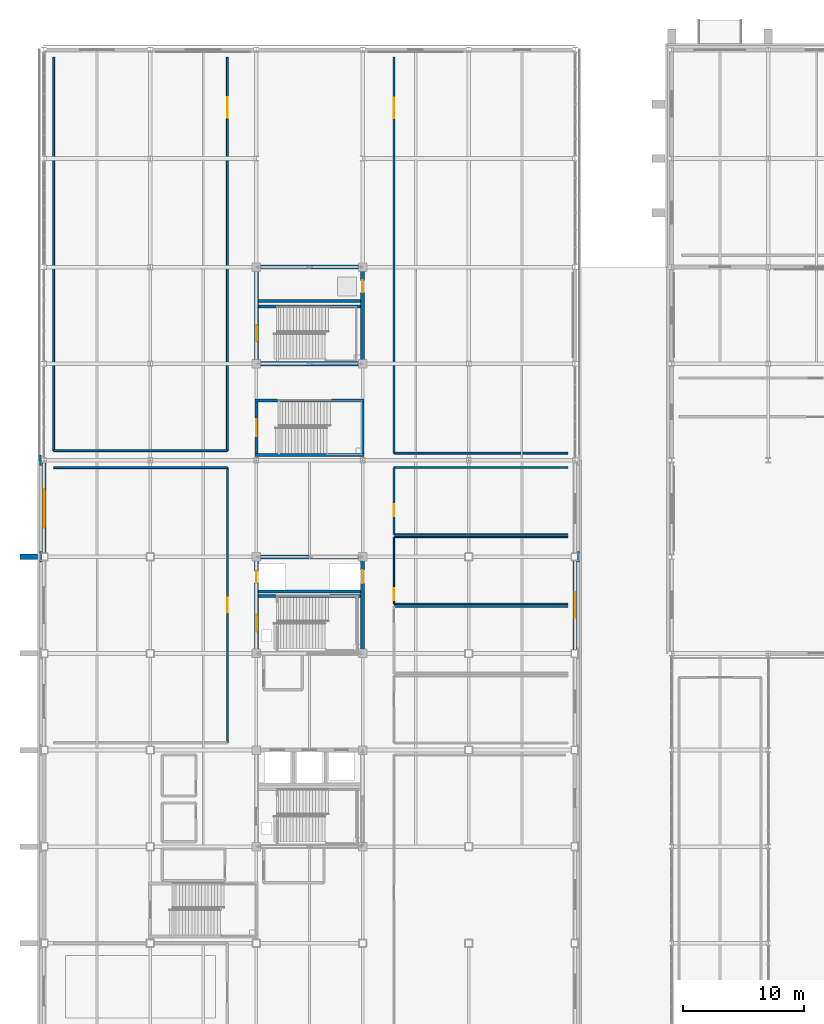
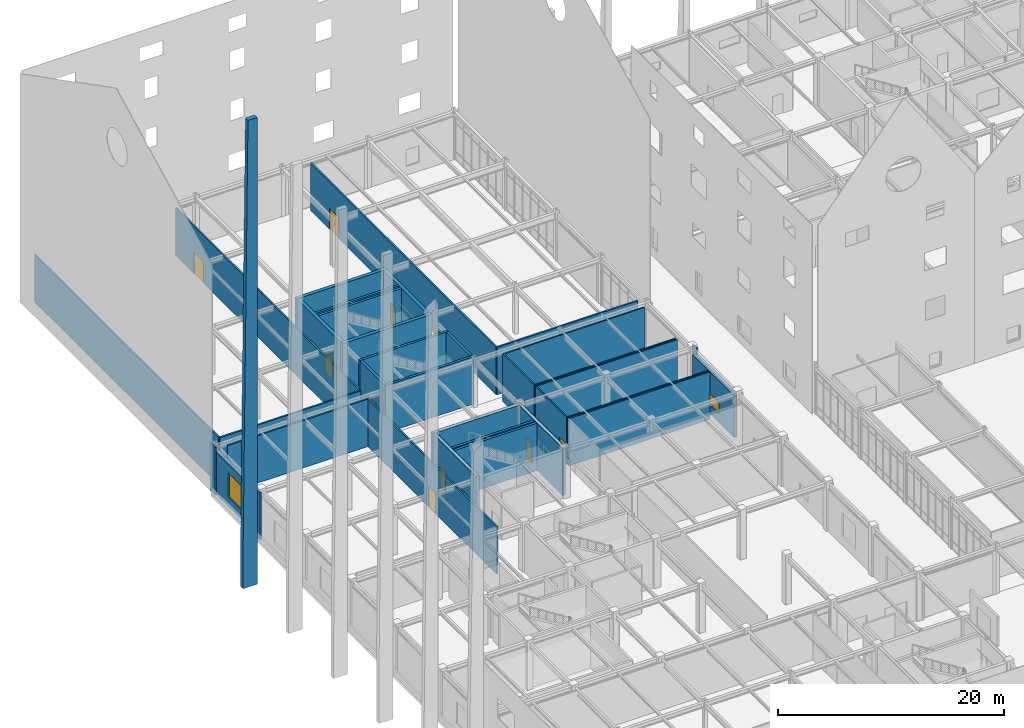
# One storey, part 91 of 119: 35 walls, 11 doors, 2 windows, 13 openings.
"""IFC4 building model written with IfcOpenShell, lengths in metres."""

from ifc_helpers import new_model, si_unit, direction, frame, frame_2d, origin, place, context, subcontext, project, spatial, polyline, rectangle, outline, extrude, material, layer, layer_set, type_object, element, fill, save


model = new_model("IFC4")

# Units and contexts
model_context = context("Model", 3, precision=1e-05, world=origin(), true_north=direction((0.0, 1.0)))
body_context = subcontext(model_context, "Body", "Model", "MODEL_VIEW")
ifc_project = project(units=[si_unit("LENGTHUNIT", "METRE"), si_unit("AREAUNIT", "SQUARE_METRE"), si_unit("VOLUMEUNIT", "CUBIC_METRE"), si_unit("PLANEANGLEUNIT", "RADIAN"), si_unit("MASSUNIT", "GRAM", prefix="KILO")], contexts=[model_context])

# Site, building, storey
site_placement = place(None, origin())
site = spatial("IfcSite", under=ifc_project, at=site_placement, CompositionType="ELEMENT")
building_placement = place(site_placement, origin())
building = spatial("IfcBuilding", under=site, at=building_placement, Name="Zhaolan Boulevard Law Courts", CompositionType="ELEMENT")
storey_placement = place(building_placement, origin())
storey = spatial("IfcBuildingStorey", under=building, at=storey_placement, Name="L00", CompositionType="ELEMENT", Elevation=0.0)

# Wall
ifc_material_1 = material(Name="Concrete C50", Category="concrete")
ifc_layer_1 = layer(ifc_material_1, 0.35009765625)
ifc_layer_set_1 = layer_set([ifc_layer_1])
wall_type_1 = type_object("IfcWallType", Name="CORE SHEAR WALL 350", PredefinedType="SHEAR", material=ifc_layer_set_1)
wall_1_placement = place(storey_placement, frame((26.574951171875, 70.0, 0.0), z_axis=(0.0, 0.0, 1.0), x_axis=(-1.0, 0.0, 0.0)))
element("IfcWall", 1, at=wall_1_placement, inside=storey, type_object=wall_type_1, Name="Core Shear Wall CW-W2-L00N", PredefinedType="SHEAR", context=body_context, shape_type="SweptSolid", body=[
    extrude(rectangle(XDim=9.14990234375, YDim=0.35009765625, at=frame_2d((4.574951171875, 0.0))), origin(), (0.0, 0.0, 1.0), 5.1201171875),
])

# Wall, openings, doors
wall_2_placement = place(storey_placement, frame((17.60009765625, 62.175048828125, 0.0), z_axis=(0.0, 0.0, 1.0), x_axis=(0.0, 1.0, 0.0)))
wall_2 = element("IfcWall", 2, at=wall_2_placement, inside=storey, type_object=wall_type_1, Name="Core Shear Wall CW-W2-L00W", PredefinedType="SHEAR", context=body_context, shape_type="SweptSolid", body=[
    extrude(rectangle(XDim=7.64990234375, YDim=0.35009765625, at=frame_2d((3.824951171875, 0.0))), origin(), (0.0, 0.0, 1.0), 5.1201171875),
])
opening_1_placement = place(wall_2_placement, frame((1.625, 0.0, 0.0)))
opening_1 = element("IfcOpeningElement", 3, at=opening_1_placement, cuts=wall_2, Name="Opening SD-L00-13", PredefinedType="OPENING", context=body_context, shape_type="SweptSolid", body=[
    extrude(rectangle(XDim=1.39990234375, YDim=2.199951171875, at=frame_2d((0.699951171875, 1.10009765625))), frame((0.0, 0.18505859375, 0.0), z_axis=(0.0, -1.0, 0.0), x_axis=(1.0, 0.0, 0.0)), (0.0, 0.0, 1.0), 0.3701171875),
])
opening_2_placement = place(wall_2_placement, frame((5.675048828125, 0.0, 0.0)))
opening_2 = element("IfcOpeningElement", 4, at=opening_2_placement, cuts=wall_2, Name="Opening LD-JL-02-L00", PredefinedType="OPENING", context=body_context, shape_type="SweptSolid", body=[
    extrude(rectangle(XDim=1.0, YDim=2.14990234375, at=frame_2d((0.5, 1.074951171875))), frame((0.0, 0.18505859375, 0.0), z_axis=(0.0, -1.0, 0.0), x_axis=(1.0, 0.0, 0.0)), (0.0, 0.0, 1.0), 0.3701171875),
])
ifc_material_2 = material(Name="Stainless steel sliding landing door", Category="steel")
door_type_1 = type_object("IfcDoorType", Name="LIFT LANDING 1000X2150", OperationType="DOUBLE_DOOR_SLIDING", PredefinedType="DOOR", material=ifc_material_2)
door_1_placement = place(opening_2_placement, origin())
door_1 = element("IfcDoor", 5, at=door_1_placement, inside=storey, type_object=door_type_1, Name="Lift Landing Sliding Door LD-JL-02-L00", OperationType="DOUBLE_DOOR_SLIDING", OverallHeight=2.14990234375, OverallWidth=1.0, PredefinedType="DOOR", context=body_context, shape_type="SweptSolid", body=[
    extrude(rectangle(XDim=1.0, YDim=2.14990234375, at=frame_2d((0.5, 1.074951171875))), frame((0.0, 0.02490234375, 0.0), z_axis=(0.0, -1.0, 0.0), x_axis=(1.0, 0.0, 0.0)), (0.0, 0.0, 1.0), 0.050048828125),
])
fill(opening_2, door_1)
ifc_material_3 = material(Name="Fire-rated steel acoustic door", Category="steel")
door_type_2 = type_object("IfcDoorType", Name="STAIR FIRE 1400X2200 L", OperationType="SINGLE_SWING_LEFT", PredefinedType="DOOR", material=ifc_material_3)
door_2_placement = place(opening_1_placement, origin())
door_2 = element("IfcDoor", 6, at=door_2_placement, inside=storey, type_object=door_type_2, Name="Smoke-Proof Stairwell Fire Door SD-L00-13", OperationType="SINGLE_SWING_LEFT", OverallHeight=2.199951171875, OverallWidth=1.39990234375, PredefinedType="DOOR", context=body_context, shape_type="SweptSolid", body=[
    extrude(rectangle(XDim=1.39990234375, YDim=2.199951171875, at=frame_2d((0.699951171875, 1.10009765625))), frame((0.0, 0.02490234375, 0.0), z_axis=(0.0, -1.0, 0.0), x_axis=(1.0, 0.0, 0.0)), (0.0, 0.0, 1.0), 0.050048828125),
])
fill(opening_1, door_2)

# Wall, opening, door
wall_3_placement = place(storey_placement, frame((26.39990234375, 62.175048828125, 0.0), z_axis=(0.0, 0.0, 1.0), x_axis=(0.0, 1.0, 0.0)))
wall_3 = element("IfcWall", 7, at=wall_3_placement, inside=storey, type_object=wall_type_1, Name="Core Shear Wall CW-W2-L00E", PredefinedType="SHEAR", context=body_context, shape_type="SweptSolid", body=[
    extrude(rectangle(XDim=7.64990234375, YDim=0.35009765625, at=frame_2d((3.824951171875, 0.0))), origin(), (0.0, 0.0, 1.0), 5.1201171875),
])
opening_3_placement = place(wall_3_placement, frame((5.625, 0.0, 0.0)))
opening_3 = element("IfcOpeningElement", 8, at=opening_3_placement, cuts=wall_3, Name="Opening LD-FL-03-L00", PredefinedType="OPENING", context=body_context, shape_type="SweptSolid", body=[
    extrude(rectangle(XDim=1.10009765625, YDim=2.14990234375, at=frame_2d((0.550048828125, 1.074951171875))), frame((0.0, 0.18505859375, 0.0), z_axis=(0.0, -1.0, 0.0), x_axis=(1.0, 0.0, 0.0)), (0.0, 0.0, 1.0), 0.3701171875),
])
ifc_material_4 = material(Name="Stainless steel sliding landing door", Category="steel")
door_type_3 = type_object("IfcDoorType", Name="LIFT LANDING 1100X2150", OperationType="DOUBLE_DOOR_SLIDING", PredefinedType="DOOR", material=ifc_material_4)
door_3_placement = place(opening_3_placement, origin())
door_3 = element("IfcDoor", 9, at=door_3_placement, inside=storey, type_object=door_type_3, Name="Lift Landing Sliding Door LD-FL-03-L00", OperationType="DOUBLE_DOOR_SLIDING", OverallHeight=2.14990234375, OverallWidth=1.10009765625, PredefinedType="DOOR", context=body_context, shape_type="SweptSolid", body=[
    extrude(rectangle(XDim=1.10009765625, YDim=2.14990234375, at=frame_2d((0.550048828125, 1.074951171875))), frame((0.0, 0.02490234375, 0.0), z_axis=(0.0, -1.0, 0.0), x_axis=(1.0, 0.0, 0.0)), (0.0, 0.0, 1.0), 0.050048828125),
])
fill(opening_3, door_3)

# Walls
for number, where, z_axis, x_axis, name in (
    (10, (17.425048828125, 86.0, 0.0), (0.0, 0.0, 1.0), (1.0, 0.0, 0.0), "Core Shear Wall CW-L1-L00S"),
    (11, (26.574951171875, 94.0, 0.0), (0.0, 0.0, 1.0), (-1.0, 0.0, 0.0), "Core Shear Wall CW-L1-L00N"),
):
    element("IfcWall", number, at=place(storey_placement, frame(where, z_axis=z_axis, x_axis=x_axis)), inside=storey, type_object=wall_type_1, Name=name, PredefinedType="SHEAR", context=body_context, shape_type="SweptSolid", body=[
        extrude(rectangle(XDim=9.14990234375, YDim=0.35009765625, at=frame_2d((4.574951171875, 0.0))), origin(), (0.0, 0.0, 1.0), 5.1201171875),
    ])

# Wall, opening, door
wall_4_placement = place(storey_placement, frame((17.60009765625, 86.175048828125, 0.0), z_axis=(0.0, 0.0, 1.0), x_axis=(0.0, 1.0, 0.0)))
wall_4 = element("IfcWall", 12, at=wall_4_placement, inside=storey, type_object=wall_type_1, Name="Core Shear Wall CW-L1-L00W", PredefinedType="SHEAR", context=body_context, shape_type="SweptSolid", body=[
    extrude(rectangle(XDim=7.64990234375, YDim=0.35009765625, at=frame_2d((3.824951171875, 0.0))), origin(), (0.0, 0.0, 1.0), 5.1201171875),
])
opening_4_placement = place(wall_4_placement, frame((1.64990234375, 0.0, 0.0)))
opening_4 = element("IfcOpeningElement", 13, at=opening_4_placement, cuts=wall_4, Name="Opening SD-L00-38", PredefinedType="OPENING", context=body_context, shape_type="SweptSolid", body=[
    extrude(rectangle(XDim=1.35009765625, YDim=2.199951171875, at=frame_2d((0.675048828125, 1.10009765625))), frame((0.0, 0.18505859375, 0.0), z_axis=(0.0, -1.0, 0.0), x_axis=(1.0, 0.0, 0.0)), (0.0, 0.0, 1.0), 0.3701171875),
])
ifc_material_5 = material(Name="Fire-rated steel acoustic door", Category="steel")
door_type_4 = type_object("IfcDoorType", Name="STAIR FIRE 1350X2200 R", OperationType="SINGLE_SWING_RIGHT", PredefinedType="DOOR", material=ifc_material_5)
door_4_placement = place(opening_4_placement, origin())
door_4 = element("IfcDoor", 14, at=door_4_placement, inside=storey, type_object=door_type_4, Name="Smoke-Proof Stairwell Fire Door SD-L00-38", OperationType="SINGLE_SWING_RIGHT", OverallHeight=2.199951171875, OverallWidth=1.35009765625, PredefinedType="DOOR", context=body_context, shape_type="SweptSolid", body=[
    extrude(rectangle(XDim=1.35009765625, YDim=2.199951171875, at=frame_2d((0.675048828125, 1.10009765625))), frame((0.0, 0.02490234375, 0.0), z_axis=(0.0, -1.0, 0.0), x_axis=(1.0, 0.0, 0.0)), (0.0, 0.0, 1.0), 0.050048828125),
])
fill(opening_4, door_4)

wall_5_placement = place(storey_placement, frame((26.39990234375, 86.175048828125, 0.0), z_axis=(0.0, 0.0, 1.0), x_axis=(0.0, 1.0, 0.0)))
wall_5 = element("IfcWall", 15, at=wall_5_placement, inside=storey, type_object=wall_type_1, Name="Core Shear Wall CW-L1-L00E", PredefinedType="SHEAR", context=body_context, shape_type="SweptSolid", body=[
    extrude(rectangle(XDim=7.64990234375, YDim=0.35009765625, at=frame_2d((3.824951171875, 0.0))), origin(), (0.0, 0.0, 1.0), 5.1201171875),
])
opening_5_placement = place(wall_5_placement, frame((5.72509765625, 0.0, 0.0)))
opening_5 = element("IfcOpeningElement", 16, at=opening_5_placement, cuts=wall_5, Name="Opening LD-PL-04-L00", PredefinedType="OPENING", context=body_context, shape_type="SweptSolid", body=[
    extrude(rectangle(XDim=1.0, YDim=2.14990234375, at=frame_2d((0.5, 1.074951171875))), frame((0.0, 0.18505859375, 0.0), z_axis=(0.0, -1.0, 0.0), x_axis=(1.0, 0.0, 0.0)), (0.0, 0.0, 1.0), 0.3701171875),
])
door_5_placement = place(opening_5_placement, origin())
door_5 = element("IfcDoor", 17, at=door_5_placement, inside=storey, type_object=door_type_1, Name="Lift Landing Sliding Door LD-PL-04-L00", OperationType="DOUBLE_DOOR_SLIDING", OverallHeight=2.14990234375, OverallWidth=1.0, PredefinedType="DOOR", context=body_context, shape_type="SweptSolid", body=[
    extrude(rectangle(XDim=1.0, YDim=2.14990234375, at=frame_2d((0.5, 1.074951171875))), frame((0.0, 0.02490234375, 0.0), z_axis=(0.0, -1.0, 0.0), x_axis=(1.0, 0.0, 0.0)), (0.0, 0.0, 1.0), 0.050048828125),
])
fill(opening_5, door_5)

# Walls
ifc_material_6 = material(Name="Concrete C40", Category="concrete")
ifc_layer_2 = layer(ifc_material_6, 0.139892578125)
ifc_layer_set_2 = layer_set([ifc_layer_2])
wall_type_2 = type_object("IfcWallType", Name="EXT WALL ARCH CLAD140", PredefinedType="SOLIDWALL", material=ifc_layer_set_2)
for number, where, z_axis, x_axis, name in (
    (18, (-0.280029296875, 69.580078125, 0.0), (0.0, 0.0, 1.0), (0.0, 1.0, 0.0), "Concrete Column Cloak Pier CPR-034"),
    (19, (44.280029296875, 69.580078125, 0.0), (0.0, 0.0, 1.0), (0.0, 1.0, 0.0), "Concrete Column Cloak Pier CPR-035"),
    (20, (-0.280029296875, 77.580078125, 0.0), (0.0, 0.0, 1.0), (0.0, 1.0, 0.0), "Concrete Column Cloak Pier CPR-036"),
):
    element("IfcWall", number, at=place(storey_placement, frame(where, z_axis=z_axis, x_axis=x_axis)), inside=storey, type_object=wall_type_2, Name=name, PredefinedType="SOLIDWALL", context=body_context, shape_type="SweptSolid", body=[
        extrude(rectangle(XDim=0.83984375, YDim=0.139892578125, at=frame_2d((0.419921875, 0.0))), origin(), (0.0, 0.0, 1.0), 5.139892578125),
    ])
ifc_material_7 = material(Name="Concrete C40", Category="concrete")
ifc_layer_3 = layer(ifc_material_7, 0.4599609375)
ifc_layer_set_3 = layer_set([ifc_layer_3])
wall_type_3 = type_object("IfcWallType", Name="EXT WALL BUTTRESS460", PredefinedType="SOLIDWALL", material=ifc_layer_set_3)
wall_6_placement = place(storey_placement, frame((-0.5400390625, 70.0, -4.800048828125), z_axis=(0.0, 0.0, 1.0), x_axis=(-1.0, 0.0, 0.0)))
element("IfcWall", 21, at=wall_6_placement, inside=storey, type_object=wall_type_3, Name="Sculpted Raked Concrete Fin SCF-220", PredefinedType="SOLIDWALL", context=body_context, shape_type="SweptSolid", body=[
    extrude(outline(polyline([(0.0, 0.0), (1.43994140625, 0.0), (1.43994140625, 4.800048828125), (0.949951171875, 50.400146484375), (0.0, 50.400146484375), (0.0, 0.0)])), frame((0.0, 0.22998046875, 0.0), z_axis=(0.0, -1.0, 0.0), x_axis=(1.0, 0.0, 0.0)), (0.0, 0.0, 1.0), 0.4599609375),
])

# Wall, opening, window
ifc_material_8 = material(Name="Concrete C40", Category="concrete")
ifc_layer_4 = layer(ifc_material_8, 0.320068359375)
ifc_layer_set_4 = layer_set([ifc_layer_4])
wall_type_4 = type_object("IfcWallType", Name="EXT WALL CONCRETE320", PredefinedType="SOLIDWALL", material=ifc_layer_set_4)
wall_7_placement = place(storey_placement, frame((0.0, 77.803955078125, 0.0), z_axis=(0.0, 0.0, 1.0), x_axis=(0.0, -1.0, 0.0)))
wall_7 = element("IfcWall", 22, at=wall_7_placement, inside=storey, type_object=wall_type_4, Name="Exterior Wall EW-L00-370", PredefinedType="SOLIDWALL", context=body_context, shape_type="SweptSolid", body=[
    extrude(rectangle(XDim=7.48291015625, YDim=0.320068359375, at=frame_2d((3.741455078125, 0.0))), origin(), (0.0, 0.0, 1.0), 4.52294921875),
])
opening_6_placement = place(wall_7_placement, frame((2.2041015625, 0.0, 0.949951171875)))
opening_6 = element("IfcOpeningElement", 23, at=opening_6_placement, cuts=wall_7, Name="Opening WIN-L00-221", PredefinedType="OPENING", context=body_context, shape_type="SweptSolid", body=[
    extrude(rectangle(XDim=3.199951171875, YDim=2.60009765625, at=frame_2d((1.60009765625, 1.300048828125))), frame((0.0, 0.169921875, 0.0), z_axis=(0.0, -1.0, 0.0), x_axis=(1.0, 0.0, 0.0)), (0.0, 0.0, 1.0), 0.340087890625),
])
ifc_material_9 = material(Name="Thermally broken aluminium and low-E glazing", Category="aluminium")
window_type_1 = type_object("IfcWindowType", Name="WINDOW 3200X2600", PartitioningType="DOUBLE_PANEL_VERTICAL", PredefinedType="WINDOW", material=ifc_material_9)
window_1_placement = place(opening_6_placement, origin())
window_1 = element("IfcWindow", 24, at=window_1_placement, inside=storey, type_object=window_type_1, Name="Exterior Window WIN-L00-221", OverallHeight=2.60009765625, OverallWidth=3.199951171875, PartitioningType="SINGLE_PANEL", PredefinedType="WINDOW", context=body_context, shape_type="SweptSolid", body=[
    extrude(rectangle(XDim=3.199951171875, YDim=2.60009765625, at=frame_2d((1.60009765625, 1.300048828125))), frame((0.0, 0.030029296875, 0.0), z_axis=(0.0, -1.0, 0.0), x_axis=(1.0, 0.0, 0.0)), (0.0, 0.0, 1.0), 0.06005859375),
])
fill(opening_6, window_1)

wall_8_placement = place(storey_placement, frame((44.0, 62.321044921875, 0.0), z_axis=(0.0, 0.0, 1.0), x_axis=(0.0, 1.0, 0.0)))
wall_8 = element("IfcWall", 25, at=wall_8_placement, inside=storey, type_object=wall_type_4, Name="Exterior Wall EW-L00-375", PredefinedType="SOLIDWALL", context=body_context, shape_type="SweptSolid", body=[
    extrude(rectangle(XDim=7.35791015625, YDim=0.320068359375, at=frame_2d((3.678955078125, 0.0))), origin(), (0.0, 0.0, 1.0), 4.52294921875),
])
opening_7_placement = place(wall_8_placement, frame((2.62890625, 0.0, 0.949951171875)))
opening_7 = element("IfcOpeningElement", 26, at=opening_7_placement, cuts=wall_8, Name="Opening WIN-L00-226", PredefinedType="OPENING", context=body_context, shape_type="SweptSolid", body=[
    extrude(rectangle(XDim=2.10009765625, YDim=1.199951171875, at=frame_2d((1.050048828125, 0.60009765625))), frame((0.0, 0.169921875, 0.0), z_axis=(0.0, -1.0, 0.0), x_axis=(1.0, 0.0, 0.0)), (0.0, 0.0, 1.0), 0.340087890625),
])
ifc_material_10 = material(Name="Thermally broken aluminium and low-E glazing", Category="aluminium")
window_type_2 = type_object("IfcWindowType", Name="WINDOW 2100X1200", PartitioningType="DOUBLE_PANEL_VERTICAL", PredefinedType="WINDOW", material=ifc_material_10)
window_2_placement = place(opening_7_placement, origin())
window_2 = element("IfcWindow", 27, at=window_2_placement, inside=storey, type_object=window_type_2, Name="Exterior Window WIN-L00-226", OverallHeight=1.199951171875, OverallWidth=2.10009765625, PartitioningType="SINGLE_PANEL", PredefinedType="WINDOW", context=body_context, shape_type="SweptSolid", body=[
    extrude(rectangle(XDim=2.10009765625, YDim=1.199951171875, at=frame_2d((1.050048828125, 0.60009765625))), frame((0.0, 0.030029296875, 0.0), z_axis=(0.0, -1.0, 0.0), x_axis=(1.0, 0.0, 0.0)), (0.0, 0.0, 1.0), 0.06005859375),
])
fill(opening_7, window_2)

# Walls
ifc_material_11 = material(Name="Concrete C50", Category="concrete")
ifc_layer_5 = layer(ifc_material_11, 0.239990234375)
ifc_layer_set_5 = layer_set([ifc_layer_5])
wall_type_5 = type_object("IfcWallType", Name="LIFT SHAFT WALL 240", PredefinedType="SHEAR", material=ifc_layer_set_5)
for number, where, z_axis, x_axis, name in (
    (28, (17.77490234375, 67.1298828125, 0.0), (0.0, 0.0, 1.0), (1.0, 0.0, 0.0), "Lift Shaft Enclosure Wall W2 (L00)"),
    (29, (17.77490234375, 91.179931640625, 0.0), (0.0, 0.0, 1.0), (1.0, 0.0, 0.0), "Lift Shaft Enclosure Wall L1 (L00)"),
):
    element("IfcWall", number, at=place(storey_placement, frame(where, z_axis=z_axis, x_axis=x_axis)), inside=storey, type_object=wall_type_5, Name=name, PredefinedType="SHEAR", context=body_context, shape_type="SweptSolid", body=[
        extrude(rectangle(XDim=8.4501953125, YDim=0.239990234375, at=frame_2d((4.22509765625, 0.0))), origin(), (0.0, 0.0, 1.0), 5.1201171875),
    ])
ifc_material_12 = material(Name="Fire-rated gypsum stud partition")
ifc_layer_6 = layer(ifc_material_12, 0.159912109375)
ifc_layer_set_6 = layer_set([ifc_layer_6])
wall_type_6 = type_object("IfcWallType", Name="PART WALL CHAMB160", PredefinedType="PARTITIONING", material=ifc_layer_set_6)
wall_9_placement = place(storey_placement, frame((0.800048828125, 78.800048828125, 0.0), z_axis=(0.0, 0.0, 1.0), x_axis=(1.0, 0.0, 0.0)))
element("IfcWall", 30, at=wall_9_placement, inside=storey, type_object=wall_type_6, Name="Interior Partition PW-L00-298", PredefinedType="PARTITIONING", context=body_context, shape_type="SweptSolid", body=[
    extrude(rectangle(XDim=14.39990234375, YDim=0.159912109375, at=frame_2d((7.199951171875, 0.0))), origin(), (0.0, 0.0, 1.0), 5.1201171875),
])
wall_10_placement = place(storey_placement, frame((0.800048828125, 111.39990234375, 0.0), z_axis=(0.0, 0.0, 1.0), x_axis=(0.0, -1.0, 0.0)))
element("IfcWall", 31, at=wall_10_placement, inside=storey, type_object=wall_type_6, Name="Interior Partition PW-L00-299", PredefinedType="PARTITIONING", context=body_context, shape_type="SweptSolid", body=[
    extrude(rectangle(XDim=32.599853515625, YDim=0.159912109375, at=frame_2d((16.2998046875, 0.0))), origin(), (0.0, 0.0, 1.0), 5.1201171875),
])

# Wall, opening, door
wall_11_placement = place(storey_placement, frame((15.199951171875, 78.800048828125, 0.0), z_axis=(0.0, 0.0, 1.0), x_axis=(0.0, 1.0, 0.0)))
wall_11 = element("IfcWall", 32, at=wall_11_placement, inside=storey, type_object=wall_type_6, Name="Interior Partition PW-L00-300", PredefinedType="PARTITIONING", context=body_context, shape_type="SweptSolid", body=[
    extrude(rectangle(XDim=32.599853515625, YDim=0.159912109375, at=frame_2d((16.2998046875, 0.0))), origin(), (0.0, 0.0, 1.0), 5.1201171875),
])
opening_8_placement = place(wall_11_placement, frame((27.570068359375, 0.0, 0.0)))
opening_8 = element("IfcOpeningElement", 33, at=opening_8_placement, cuts=wall_11, Name="Opening ID-L00-092", PredefinedType="OPENING", context=body_context, shape_type="SweptSolid", body=[
    extrude(rectangle(XDim=1.699951171875, YDim=2.300048828125, at=frame_2d((0.85009765625, 1.14990234375))), frame((0.0, 0.08984375, 0.0), z_axis=(0.0, -1.0, 0.0), x_axis=(1.0, 0.0, 0.0)), (0.0, 0.0, 1.0), 0.179931640625),
])
ifc_material_13 = material(Name="Solid-core acoustic oak veneer door")
door_type_5 = type_object("IfcDoorType", Name="LIB DOUBLE 1700X2300", OperationType="DOUBLE_DOOR_SINGLE_SWING", PredefinedType="DOOR", material=ifc_material_13)
door_6_placement = place(opening_8_placement, origin())
door_6 = element("IfcDoor", 34, at=door_6_placement, inside=storey, type_object=door_type_5, Name="Door ID-L00-092 (Law Library Periodicals Reading Room)", OperationType="DOUBLE_DOOR_SINGLE_SWING", OverallHeight=2.300048828125, OverallWidth=1.699951171875, PredefinedType="DOOR", context=body_context, shape_type="SweptSolid", body=[
    extrude(rectangle(XDim=1.699951171875, YDim=2.300048828125, at=frame_2d((0.85009765625, 1.14990234375))), frame((0.0, 0.02490234375, 0.0), z_axis=(0.0, -1.0, 0.0), x_axis=(1.0, 0.0, 0.0)), (0.0, 0.0, 1.0), 0.050048828125),
])
fill(opening_8, door_6)

# Wall
wall_12_placement = place(storey_placement, frame((29.0, 78.60009765625, 0.0), z_axis=(0.0, 0.0, 1.0), x_axis=(1.0, 0.0, 0.0)))
element("IfcWall", 35, at=wall_12_placement, inside=storey, type_object=wall_type_6, Name="Interior Partition PW-L00-301", PredefinedType="PARTITIONING", context=body_context, shape_type="SweptSolid", body=[
    extrude(rectangle(XDim=14.39990234375, YDim=0.159912109375, at=frame_2d((7.199951171875, 0.0))), origin(), (0.0, 0.0, 1.0), 5.1201171875),
])

# Wall, opening, door
wall_13_placement = place(storey_placement, frame((29.0, 111.39990234375, 0.0), z_axis=(0.0, 0.0, 1.0), x_axis=(0.0, -1.0, 0.0)))
wall_13 = element("IfcWall", 36, at=wall_13_placement, inside=storey, type_object=wall_type_6, Name="Interior Partition PW-L00-302", PredefinedType="PARTITIONING", context=body_context, shape_type="SweptSolid", body=[
    extrude(rectangle(XDim=32.7998046875, YDim=0.159912109375, at=frame_2d((16.39990234375, 0.0))), origin(), (0.0, 0.0, 1.0), 5.1201171875),
])
opening_9_placement = place(wall_13_placement, frame((3.35009765625, 0.0, 0.0)))
opening_9 = element("IfcOpeningElement", 37, at=opening_9_placement, cuts=wall_13, Name="Opening ID-L00-093", PredefinedType="OPENING", context=body_context, shape_type="SweptSolid", body=[
    extrude(rectangle(XDim=1.699951171875, YDim=2.300048828125, at=frame_2d((0.85009765625, 1.14990234375))), frame((0.0, 0.08984375, 0.0), z_axis=(0.0, -1.0, 0.0), x_axis=(1.0, 0.0, 0.0)), (0.0, 0.0, 1.0), 0.179931640625),
])
door_7_placement = place(opening_9_placement, origin())
door_7 = element("IfcDoor", 38, at=door_7_placement, inside=storey, type_object=door_type_5, Name="Door ID-L00-093 (Legal Archive Stacks L00)", OperationType="DOUBLE_DOOR_SINGLE_SWING", OverallHeight=2.300048828125, OverallWidth=1.699951171875, PredefinedType="DOOR", context=body_context, shape_type="SweptSolid", body=[
    extrude(rectangle(XDim=1.699951171875, YDim=2.300048828125, at=frame_2d((0.85009765625, 1.14990234375))), frame((0.0, 0.02490234375, 0.0), z_axis=(0.0, -1.0, 0.0), x_axis=(1.0, 0.0, 0.0)), (0.0, 0.0, 1.0), 0.050048828125),
])
fill(opening_9, door_7)

# Wall
wall_14_placement = place(storey_placement, frame((15.199951171875, 77.39990234375, 0.0), z_axis=(0.0, 0.0, 1.0), x_axis=(-1.0, 0.0, 0.0)))
element("IfcWall", 39, at=wall_14_placement, inside=storey, type_object=wall_type_6, Name="Interior Partition PW-L00-319", PredefinedType="PARTITIONING", context=body_context, shape_type="SweptSolid", body=[
    extrude(rectangle(XDim=14.39990234375, YDim=0.159912109375, at=frame_2d((7.199951171875, 0.0))), origin(), (0.0, 0.0, 1.0), 5.1201171875),
])

# Wall, opening, door
wall_15_placement = place(storey_placement, frame((15.199951171875, 54.60009765625, 0.0), z_axis=(0.0, 0.0, 1.0), x_axis=(0.0, 1.0, 0.0)))
wall_15 = element("IfcWall", 40, at=wall_15_placement, inside=storey, type_object=wall_type_6, Name="Interior Partition PW-L00-320", PredefinedType="PARTITIONING", context=body_context, shape_type="SweptSolid", body=[
    extrude(rectangle(XDim=22.7998046875, YDim=0.159912109375, at=frame_2d((11.39990234375, 0.0))), origin(), (0.0, 0.0, 1.0), 5.1201171875),
])
opening_10_placement = place(wall_15_placement, frame((10.800048828125, 0.0, 0.0)))
opening_10 = element("IfcOpeningElement", 41, at=opening_10_placement, cuts=wall_15, Name="Opening MD-L00-099", PredefinedType="OPENING", context=body_context, shape_type="SweptSolid", body=[
    extrude(rectangle(XDim=1.199951171875, YDim=2.199951171875, at=frame_2d((0.60009765625, 1.10009765625))), frame((0.0, 0.08984375, 0.0), z_axis=(0.0, -1.0, 0.0), x_axis=(1.0, 0.0, 0.0)), (0.0, 0.0, 1.0), 0.179931640625),
])
ifc_material_14 = material(Name="Solid-core acoustic oak veneer door")
door_type_6 = type_object("IfcDoorType", Name="MED DOOR 1200X2200 L", OperationType="SINGLE_SWING_LEFT", PredefinedType="DOOR", material=ifc_material_14)
door_8_placement = place(opening_10_placement, origin())
door_8 = element("IfcDoor", 42, at=door_8_placement, inside=storey, type_object=door_type_6, Name="Door MD-L00-099 (Mediation Chamber L00)", OperationType="SINGLE_SWING_LEFT", OverallHeight=2.199951171875, OverallWidth=1.199951171875, PredefinedType="DOOR", context=body_context, shape_type="SweptSolid", body=[
    extrude(rectangle(XDim=1.199951171875, YDim=2.199951171875, at=frame_2d((0.60009765625, 1.10009765625))), frame((0.0, 0.02490234375, 0.0), z_axis=(0.0, -1.0, 0.0), x_axis=(1.0, 0.0, 0.0)), (0.0, 0.0, 1.0), 0.050048828125),
])
fill(opening_10, door_8)

# Walls
ifc_material_15 = material(Name="Gypsum board stud partition")
ifc_layer_7 = layer(ifc_material_15, 0.1201171875)
ifc_layer_set_7 = layer_set([ifc_layer_7])
wall_type_7 = type_object("IfcWallType", Name="PART WALL LIGHT120", PredefinedType="PARTITIONING", material=ifc_layer_set_7)
for number, where, z_axis, x_axis, name in (
    (43, (29.0, 66.110107421875, 0.0), (0.0, 0.0, 1.0), (1.0, 0.0, 0.0), "Interior Partition PW-L00-312"),
    (44, (43.39990234375, 71.64501953125, 0.0), (0.0, 0.0, 1.0), (-1.0, 0.0, 0.0), "Interior Partition PW-L00-313"),
):
    element("IfcWall", number, at=place(storey_placement, frame(where, z_axis=z_axis, x_axis=x_axis)), inside=storey, type_object=wall_type_7, Name=name, PredefinedType="PARTITIONING", context=body_context, shape_type="SweptSolid", body=[
        extrude(rectangle(XDim=14.39990234375, YDim=0.1201171875, at=frame_2d((7.199951171875, 0.0))), origin(), (0.0, 0.0, 1.0), 5.1201171875),
    ])

# Wall, opening, door
wall_16_placement = place(storey_placement, frame((29.0, 71.64501953125, 0.0), z_axis=(0.0, 0.0, 1.0), x_axis=(0.0, -1.0, 0.0)))
wall_16 = element("IfcWall", 45, at=wall_16_placement, inside=storey, type_object=wall_type_7, Name="Interior Partition PW-L00-314", PredefinedType="PARTITIONING", context=body_context, shape_type="SweptSolid", body=[
    extrude(rectangle(XDim=5.534912109375, YDim=0.1201171875, at=frame_2d((2.767578125, 0.0))), origin(), (0.0, 0.0, 1.0), 5.1201171875),
])
opening_11_placement = place(wall_16_placement, frame((4.2548828125, 0.0, 0.0)))
opening_11 = element("IfcOpeningElement", 46, at=opening_11_placement, cuts=wall_16, Name="Opening JD-L00-097", PredefinedType="OPENING", context=body_context, shape_type="SweptSolid", body=[
    extrude(rectangle(XDim=0.97998046875, YDim=2.199951171875, at=frame_2d((0.489990234375, 1.10009765625))), frame((0.0, 0.070068359375, 0.0), z_axis=(0.0, -1.0, 0.0), x_axis=(1.0, 0.0, 0.0)), (0.0, 0.0, 1.0), 0.14013671875),
])
ifc_material_16 = material(Name="Solid-core acoustic oak veneer door")
door_type_7 = type_object("IfcDoorType", Name="CHAMBER DOOR 980X2200 R", OperationType="SINGLE_SWING_RIGHT", PredefinedType="DOOR", material=ifc_material_16)
door_9_placement = place(opening_11_placement, origin())
door_9 = element("IfcDoor", 47, at=door_9_placement, inside=storey, type_object=door_type_7, Name="Door JD-L00-097 (Judges' Chambers L00-03)", OperationType="SINGLE_SWING_RIGHT", OverallHeight=2.199951171875, OverallWidth=0.97998046875, PredefinedType="DOOR", context=body_context, shape_type="SweptSolid", body=[
    extrude(rectangle(XDim=0.97998046875, YDim=2.199951171875, at=frame_2d((0.489990234375, 1.10009765625))), frame((0.0, 0.02490234375, 0.0), z_axis=(0.0, -1.0, 0.0), x_axis=(1.0, 0.0, 0.0)), (0.0, 0.0, 1.0), 0.050048828125),
])
fill(opening_11, door_9)

# Walls
ifc_material_17 = material(Name="Fire-rated gypsum stud partition")
ifc_layer_8 = layer(ifc_material_17, 0.139892578125)
ifc_layer_set_8 = layer_set([ifc_layer_8])
wall_type_8 = type_object("IfcWallType", Name="PART WALL OFFICE140", PredefinedType="PARTITIONING", material=ifc_layer_set_8)
for number, where, z_axis, x_axis, name in (
    (48, (43.39990234375, 65.889892578125, 0.0), (0.0, 0.0, 1.0), (-1.0, 0.0, 0.0), "Interior Partition PW-L00-310"),
    (49, (29.0, 71.864990234375, 0.0), (0.0, 0.0, 1.0), (1.0, 0.0, 0.0), "Interior Partition PW-L00-315"),
    (50, (43.39990234375, 77.39990234375, 0.0), (0.0, 0.0, 1.0), (-1.0, 0.0, 0.0), "Interior Partition PW-L00-316"),
):
    element("IfcWall", number, at=place(storey_placement, frame(where, z_axis=z_axis, x_axis=x_axis)), inside=storey, type_object=wall_type_8, Name=name, PredefinedType="PARTITIONING", context=body_context, shape_type="SweptSolid", body=[
        extrude(rectangle(XDim=14.39990234375, YDim=0.139892578125, at=frame_2d((7.199951171875, 0.0))), origin(), (0.0, 0.0, 1.0), 5.1201171875),
    ])

# Wall, opening, door
wall_17_placement = place(storey_placement, frame((29.0, 77.39990234375, 0.0), z_axis=(0.0, 0.0, 1.0), x_axis=(0.0, -1.0, 0.0)))
wall_17 = element("IfcWall", 51, at=wall_17_placement, inside=storey, type_object=wall_type_8, Name="Interior Partition PW-L00-317", PredefinedType="PARTITIONING", context=body_context, shape_type="SweptSolid", body=[
    extrude(rectangle(XDim=5.534912109375, YDim=0.139892578125, at=frame_2d((2.767578125, 0.0))), origin(), (0.0, 0.0, 1.0), 5.1201171875),
])
opening_12_placement = place(wall_17_placement, frame((3.054931640625, 0.0, 0.0)))
opening_12 = element("IfcOpeningElement", 52, at=opening_12_placement, cuts=wall_17, Name="Opening JD-L00-098", PredefinedType="OPENING", context=body_context, shape_type="SweptSolid", body=[
    extrude(rectangle(XDim=1.0, YDim=2.14990234375, at=frame_2d((0.5, 1.074951171875))), frame((0.0, 0.079833984375, 0.0), z_axis=(0.0, -1.0, 0.0), x_axis=(1.0, 0.0, 0.0)), (0.0, 0.0, 1.0), 0.159912109375),
])
ifc_material_18 = material(Name="Solid-core acoustic oak veneer door")
door_type_8 = type_object("IfcDoorType", Name="CHAMBER DOOR 1000X2150 L", OperationType="SINGLE_SWING_LEFT", PredefinedType="DOOR", material=ifc_material_18)
door_10_placement = place(opening_12_placement, origin())
door_10 = element("IfcDoor", 53, at=door_10_placement, inside=storey, type_object=door_type_8, Name="Door JD-L00-098 (Judges' Chambers L00-04)", OperationType="SINGLE_SWING_LEFT", OverallHeight=2.14990234375, OverallWidth=1.0, PredefinedType="DOOR", context=body_context, shape_type="SweptSolid", body=[
    extrude(rectangle(XDim=1.0, YDim=2.14990234375, at=frame_2d((0.5, 1.074951171875))), frame((0.0, 0.02490234375, 0.0), z_axis=(0.0, -1.0, 0.0), x_axis=(1.0, 0.0, 0.0)), (0.0, 0.0, 1.0), 0.050048828125),
])
fill(opening_12, door_10)

# Walls
ifc_material_19 = material(Name="Concrete C50", Category="concrete")
ifc_layer_9 = layer(ifc_material_19, 0.239990234375)
ifc_layer_set_9 = layer_set([ifc_layer_9])
wall_type_9 = type_object("IfcWallType", Name="STAIR WELL WALL 240", PredefinedType="SHEAR", material=ifc_layer_set_9)
for number, where, z_axis, x_axis, name in (
    (54, (17.77490234375, 66.75, 0.0), (0.0, 0.0, 1.0), (1.0, 0.0, 0.0), "Stairwell Divider Shear Wall ST02-L00N"),
    (55, (17.77490234375, 90.75, 0.0), (0.0, 0.0, 1.0), (1.0, 0.0, 0.0), "Stairwell Divider Shear Wall ST10-L00N"),
):
    element("IfcWall", number, at=place(storey_placement, frame(where, z_axis=z_axis, x_axis=x_axis)), inside=storey, type_object=wall_type_9, Name=name, PredefinedType="SHEAR", context=body_context, shape_type="SweptSolid", body=[
        extrude(rectangle(XDim=8.4501953125, YDim=0.239990234375, at=frame_2d((4.22509765625, 0.0))), origin(), (0.0, 0.0, 1.0), 5.1201171875),
    ])
for number, where, z_axis, x_axis, name in (
    (56, (17.47998046875, 78.449951171875, 0.0), (0.0, 0.0, 1.0), (1.0, 0.0, 0.0), "Stairwell Shear Wall ST12-L00S"),
    (57, (26.52001953125, 82.949951171875, 0.0), (0.0, 0.0, 1.0), (-1.0, 0.0, 0.0), "Stairwell Shear Wall ST12-L00N"),
):
    element("IfcWall", number, at=place(storey_placement, frame(where, z_axis=z_axis, x_axis=x_axis)), inside=storey, type_object=wall_type_9, Name=name, PredefinedType="SHEAR", context=body_context, shape_type="SweptSolid", body=[
        extrude(rectangle(XDim=9.0400390625, YDim=0.239990234375, at=frame_2d((4.52001953125, 0.0))), origin(), (0.0, 0.0, 1.0), 5.1201171875),
    ])

# Wall, opening, door
wall_18_placement = place(storey_placement, frame((17.60009765625, 78.570068359375, 0.0), z_axis=(0.0, 0.0, 1.0), x_axis=(0.0, 1.0, 0.0)))
wall_18 = element("IfcWall", 58, at=wall_18_placement, inside=storey, type_object=wall_type_9, Name="Stairwell Shear Wall ST12-L00W", PredefinedType="SHEAR", context=body_context, shape_type="SweptSolid", body=[
    extrude(rectangle(XDim=4.260009765625, YDim=0.239990234375, at=frame_2d((2.1298828125, 0.0))), origin(), (0.0, 0.0, 1.0), 5.1201171875),
])
opening_13_placement = place(wall_18_placement, frame((1.429931640625, 0.0, 0.0)))
opening_13 = element("IfcOpeningElement", 59, at=opening_13_placement, cuts=wall_18, Name="Opening SD-L00-59", PredefinedType="OPENING", context=body_context, shape_type="SweptSolid", body=[
    extrude(rectangle(XDim=1.39990234375, YDim=2.199951171875, at=frame_2d((0.699951171875, 1.10009765625))), frame((0.0, 0.1298828125, 0.0), z_axis=(0.0, -1.0, 0.0), x_axis=(1.0, 0.0, 0.0)), (0.0, 0.0, 1.0), 0.260009765625),
])
door_11_placement = place(opening_13_placement, origin())
door_11 = element("IfcDoor", 60, at=door_11_placement, inside=storey, type_object=door_type_2, Name="Smoke-Proof Stairwell Fire Door SD-L00-59", OperationType="SINGLE_SWING_LEFT", OverallHeight=2.199951171875, OverallWidth=1.39990234375, PredefinedType="DOOR", context=body_context, shape_type="SweptSolid", body=[
    extrude(rectangle(XDim=1.39990234375, YDim=2.199951171875, at=frame_2d((0.699951171875, 1.10009765625))), frame((0.0, 0.02490234375, 0.0), z_axis=(0.0, -1.0, 0.0), x_axis=(1.0, 0.0, 0.0)), (0.0, 0.0, 1.0), 0.050048828125),
])
fill(opening_13, door_11)

# Wall
wall_19_placement = place(storey_placement, frame((26.39990234375, 78.570068359375, 0.0), z_axis=(0.0, 0.0, 1.0), x_axis=(0.0, 1.0, 0.0)))
element("IfcWall", 61, at=wall_19_placement, inside=storey, type_object=wall_type_9, Name="Stairwell Shear Wall ST12-L00E", PredefinedType="SHEAR", context=body_context, shape_type="SweptSolid", body=[
    extrude(rectangle(XDim=4.260009765625, YDim=0.239990234375, at=frame_2d((2.1298828125, 0.0))), origin(), (0.0, 0.0, 1.0), 5.1201171875),
])

save(model, "model.ifc")
